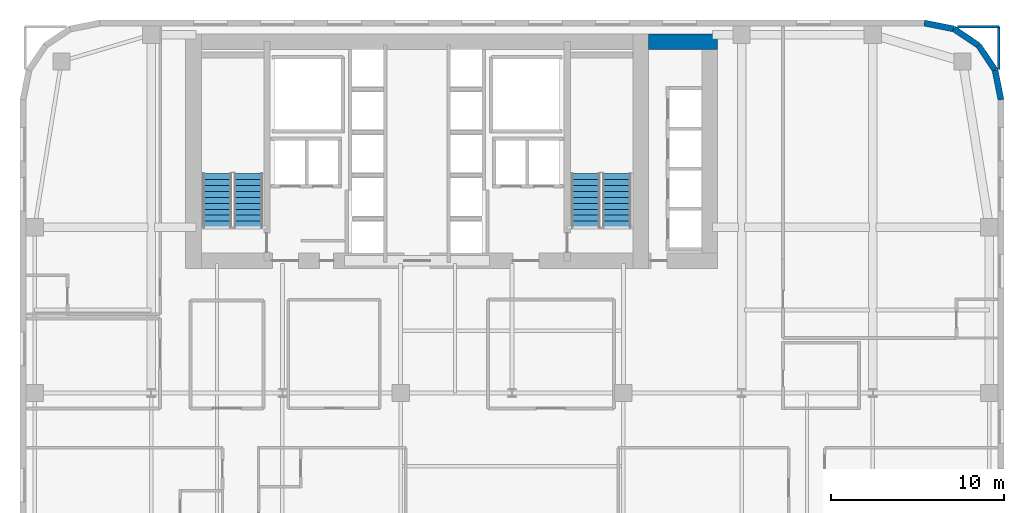
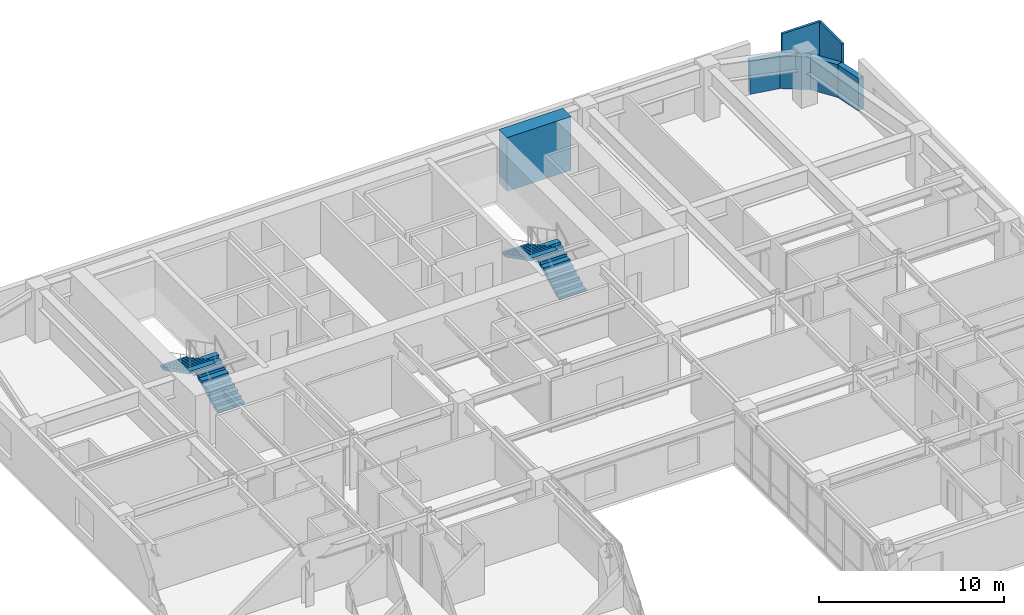
# One storey, part 16 of 17: 7 walls, 4 stair flights, 2 elements without a shape of their own.
"""IFC4 building model written with IfcOpenShell, lengths in metres."""

from ifc_helpers import new_model, si_unit, direction, frame, frame_2d, origin, place, context, subcontext, project, spatial, polyline, rectangle, outline, extrude, material, layer, layer_set, type_object, element, aggregate, save


model = new_model("IFC4")

# Units and contexts
model_context = context("Model", 3, precision=1e-05, world=origin(), true_north=direction((0.0, 1.0)))
body_context = subcontext(model_context, "Body", "Model", "MODEL_VIEW")
ifc_project = project(units=[si_unit("LENGTHUNIT", "METRE"), si_unit("AREAUNIT", "SQUARE_METRE"), si_unit("VOLUMEUNIT", "CUBIC_METRE"), si_unit("PLANEANGLEUNIT", "RADIAN"), si_unit("MASSUNIT", "GRAM", prefix="KILO")], contexts=[model_context])

# Site, building, storey
site_placement = place(None, origin())
site = spatial("IfcSite", under=ifc_project, at=site_placement, CompositionType="ELEMENT")
building_placement = place(site_placement, origin())
building = spatial("IfcBuilding", under=site, at=building_placement, Name="Tolvann Quenvar Hotel", CompositionType="ELEMENT")
storey_placement = place(building_placement, frame((0.0, 0.0, 35.550048828125)))
storey = spatial("IfcBuildingStorey", under=building, at=storey_placement, Name="L07", CompositionType="ELEMENT", Elevation=35.550048828125)

# Walls
ifc_material_1 = material(Name="Concrete S80 (80 MPa)", Category="concrete")
ifc_layer_1 = layer(ifc_material_1, 0.89990234375)
ifc_layer_set_1 = layer_set([ifc_layer_1], Name="Concrete S80 (80 MPa)")
wall_type_1 = type_object("IfcWallType", Name="WALL_CORE_900", PredefinedType="SHEAR", material=ifc_layer_set_1)
wall_1_placement = place(storey_placement, frame((36.39990234375, 44.75, 0.0), z_axis=(0.0, 0.0, 1.0), x_axis=(1.0, 0.0, 0.0)))
element("IfcWall", 1, at=wall_1_placement, inside=storey, type_object=wall_type_1, Name="Core East Annex Shear Wall ANN-N (L07)", PredefinedType="SHEAR", context=body_context, shape_type="SweptSolid", body=[
    extrude(rectangle(XDim=4.0, YDim=0.89990234375, at=frame_2d((2.0, 0.0))), origin(), (0.0, 0.0, 1.0), 3.550048828125),
])
ifc_material_2 = material(Name="Kiln-fired red and buff architectural clay brickwork and terracotta masonry", Category="masonry")
ifc_layer_2 = layer(ifc_material_2, 0.35009765625)
ifc_layer_set_2 = layer_set([ifc_layer_2], Name="Kiln-fired red and buff architectural clay brickwork and terracotta masonry")
wall_type_2 = type_object("IfcWallType", Name="WALL_EXT_BRICK_350", PredefinedType="SOLIDWALL", material=ifc_layer_set_2)
wall_2_placement = place(storey_placement, frame((56.824951171875, 41.3828125, 0.0), z_axis=(0.0, 0.0, 1.0), x_axis=(-0.195011420161, 0.980800971659, 0.0)))
element("IfcWall", 2, at=wall_2_placement, inside=storey, type_object=wall_type_2, Name="Exterior Chicago Brick Wall L07-E14", PredefinedType="SOLIDWALL", context=body_context, shape_type="SweptSolid", body=[
    extrude(rectangle(XDim=1.74267578125, YDim=0.35009765625, at=frame_2d((0.871337890625, 0.0))), origin(), (0.0, 0.0, 1.0), 2.159912109375),
])
for number, where, z_axis, x_axis, name in (
    (3, (56.485107421875, 43.092041015625, 0.0), (0.0, 0.0, 1.0), (-0.55554893791, 0.831483840845, 0.0), "Exterior Chicago Brick Wall L07-E15"),
    (4, (55.526611328125, 44.526611328125, 0.0), (0.0, 0.0, 1.0), (-0.831483840845, 0.55554893791, 0.0), "Exterior Chicago Brick Wall L07-E16"),
):
    element("IfcWall", number, at=place(storey_placement, frame(where, z_axis=z_axis, x_axis=x_axis)), inside=storey, type_object=wall_type_2, Name=name, PredefinedType="SOLIDWALL", context=body_context, shape_type="SweptSolid", body=[
        extrude(rectangle(XDim=1.725341796875, YDim=0.35009765625, at=frame_2d((0.86279296875, 0.0))), origin(), (0.0, 0.0, 1.0), 2.159912109375),
    ])
wall_3_placement = place(storey_placement, frame((54.092041015625, 45.485107421875, 0.0), z_axis=(0.0, 0.0, 1.0), x_axis=(-0.980800971659, 0.195011420161, 0.0)))
element("IfcWall", 5, at=wall_3_placement, inside=storey, type_object=wall_type_2, Name="Exterior Chicago Brick Wall L07-E17", PredefinedType="SOLIDWALL", context=body_context, shape_type="SweptSolid", body=[
    extrude(rectangle(XDim=1.74267578125, YDim=0.35009765625, at=frame_2d((0.871337890625, 0.0))), origin(), (0.0, 0.0, 1.0), 2.159912109375),
])
ifc_material_3 = material(Name="Acoustic twin-stud fire-rated gypsum plasterboard partition")
ifc_layer_3 = layer(ifc_material_3, 0.14990234375)
ifc_layer_set_3 = layer_set([ifc_layer_3], Name="Acoustic twin-stud fire-rated gypsum plasterboard partition")
wall_type_3 = type_object("IfcWallType", Name="WALL_PART_SUITE_150", PredefinedType="PARTITIONING", material=ifc_layer_set_3)
wall_4_placement = place(storey_placement, frame((56.699951171875, 43.135009765625, 0.0), z_axis=(0.0, 0.0, 1.0), x_axis=(0.0, 1.0, 0.0)))
element("IfcWall", 6, at=wall_4_placement, inside=storey, type_object=wall_type_3, Name="Interior Partition PT-SPC-L07-RM-NE01-E4", PredefinedType="PARTITIONING", context=body_context, shape_type="SweptSolid", body=[
    extrude(rectangle(XDim=2.485107421875, YDim=0.14990234375, at=frame_2d((1.24267578125, 0.0))), origin(), (0.0, 0.0, 1.0), 3.369873046875),
])
wall_5_placement = place(storey_placement, frame((54.303955078125, 45.6201171875, 0.0), z_axis=(0.0, 0.0, 1.0), x_axis=(1.0, 0.0, 0.0)))
element("IfcWall", 7, at=wall_5_placement, inside=storey, type_object=wall_type_3, Name="Interior Partition PT-SPC-L07-RM-NE01-E5", PredefinedType="PARTITIONING", context=body_context, shape_type="SweptSolid", body=[
    extrude(rectangle(XDim=2.39599609375, YDim=0.14990234375, at=frame_2d((1.197998046875, 0.0))), origin(), (0.0, 0.0, 1.0), 3.369873046875),
])

# Stair, stair flights
ifc_material_4 = material(Name="Concrete N40 (40 MPa)", Category="concrete")
stair_type = type_object("IfcStairType", Name="STAIR", PredefinedType="HALF_TURN_STAIR", material=ifc_material_4)
stair_1_placement = place(storey_placement, origin())
stair_1 = element("IfcStair", 8, at=stair_1_placement, inside=storey, type_object=stair_type, Name="L07 ST-C1", PredefinedType="HALF_TURN_STAIR")
stair_flight_type = type_object("IfcStairFlightType", Name="STAIR_FLIGHT", PredefinedType="STRAIGHT", material=ifc_material_4)
stair_flight_1_placement = place(storey_placement, frame((13.22509765625, 34.0, 0.0), z_axis=(0.0, 0.0, 1.0), x_axis=(0.0, 1.0, 0.0)))
stair_flight_1 = element("IfcStairFlight", 9, at=stair_flight_1_placement, type_object=stair_flight_type, Name="ST-C1 flight 1", NumberOfRisers=10, NumberOfTreads=9, PredefinedType="STRAIGHT", RiserHeight=0.1775, TreadLength=0.345, context=body_context, shape_type="SweptSolid", body=[
    extrude(outline(polyline([(0.0, 0.0), (0.0, 0.177490234375), (0.344970703125, 0.177490234375), (0.344970703125, 0.35498046875), (0.68994140625, 0.35498046875), (0.68994140625, 0.532470703125), (1.034912109375, 0.532470703125), (1.034912109375, 0.7099609375), (1.3798828125, 0.7099609375), (1.3798828125, 0.887451171875), (1.72509765625, 0.887451171875), (1.72509765625, 1.06494140625), (2.070068359375, 1.06494140625), (2.070068359375, 1.242431640625), (2.4150390625, 1.242431640625), (2.4150390625, 1.419921875), (2.760009765625, 1.419921875), (2.760009765625, 1.597412109375), (3.10498046875, 1.597412109375), (3.10498046875, 1.77490234375), (3.10498046875, 1.428955078125), (0.32763671875, 0.0), (0.0, 0.0)])), frame((0.0, 0.824951171875, 0.0), z_axis=(0.0, -1.0, 0.0), x_axis=(1.0, 0.0, 0.0)), (0.0, 0.0, 1.0), 1.64990234375),
])
stair_flight_2_placement = place(storey_placement, frame((11.425048828125, 37.10498046875, 1.77490234375), z_axis=(0.0, 0.0, 1.0), x_axis=(0.0, -1.0, 0.0)))
stair_flight_2 = element("IfcStairFlight", 10, at=stair_flight_2_placement, type_object=stair_flight_type, Name="ST-C1 flight 2", NumberOfRisers=10, NumberOfTreads=9, PredefinedType="STRAIGHT", RiserHeight=0.1775, TreadLength=0.345, context=body_context, shape_type="SweptSolid", body=[
    extrude(outline(polyline([(0.0, 0.0), (0.0, 0.177490234375), (0.344970703125, 0.177490234375), (0.344970703125, 0.35498046875), (0.68994140625, 0.35498046875), (0.68994140625, 0.532470703125), (1.034912109375, 0.532470703125), (1.034912109375, 0.7099609375), (1.3798828125, 0.7099609375), (1.3798828125, 0.887451171875), (1.72509765625, 0.887451171875), (1.72509765625, 1.06494140625), (2.070068359375, 1.06494140625), (2.070068359375, 1.242431640625), (2.4150390625, 1.242431640625), (2.4150390625, 1.419921875), (2.760009765625, 1.419921875), (2.760009765625, 1.597412109375), (3.10498046875, 1.597412109375), (3.10498046875, 1.77490234375), (3.10498046875, 1.428955078125), (0.32763671875, 0.0), (0.0, 0.0)])), frame((0.0, 0.824951171875, 0.0), z_axis=(0.0, -1.0, 0.0), x_axis=(1.0, 0.0, 0.0)), (0.0, 0.0, 1.0), 1.64990234375),
])
aggregate(stair_1, [stair_flight_1, stair_flight_2])

stair_2_placement = place(storey_placement, origin())
stair_2 = element("IfcStair", 11, at=stair_2_placement, inside=storey, type_object=stair_type, Name="L07 ST-C2", PredefinedType="HALF_TURN_STAIR")
stair_flight_3_placement = place(storey_placement, frame((34.574951171875, 34.0, 0.0), z_axis=(0.0, 0.0, 1.0), x_axis=(0.0, 1.0, 0.0)))
stair_flight_3 = element("IfcStairFlight", 12, at=stair_flight_3_placement, type_object=stair_flight_type, Name="ST-C2 flight 1", NumberOfRisers=10, NumberOfTreads=9, PredefinedType="STRAIGHT", RiserHeight=0.1775, TreadLength=0.345, context=body_context, shape_type="SweptSolid", body=[
    extrude(outline(polyline([(0.0, 0.0), (0.0, 0.177490234375), (0.344970703125, 0.177490234375), (0.344970703125, 0.35498046875), (0.68994140625, 0.35498046875), (0.68994140625, 0.532470703125), (1.034912109375, 0.532470703125), (1.034912109375, 0.7099609375), (1.3798828125, 0.7099609375), (1.3798828125, 0.887451171875), (1.72509765625, 0.887451171875), (1.72509765625, 1.06494140625), (2.070068359375, 1.06494140625), (2.070068359375, 1.242431640625), (2.4150390625, 1.242431640625), (2.4150390625, 1.419921875), (2.760009765625, 1.419921875), (2.760009765625, 1.597412109375), (3.10498046875, 1.597412109375), (3.10498046875, 1.77490234375), (3.10498046875, 1.428955078125), (0.32763671875, 0.0), (0.0, 0.0)])), frame((0.0, 0.824951171875, 0.0), z_axis=(0.0, -1.0, 0.0), x_axis=(1.0, 0.0, 0.0)), (0.0, 0.0, 1.0), 1.64990234375),
])
stair_flight_4_placement = place(storey_placement, frame((32.77490234375, 37.10498046875, 1.77490234375), z_axis=(0.0, 0.0, 1.0), x_axis=(0.0, -1.0, 0.0)))
stair_flight_4 = element("IfcStairFlight", 13, at=stair_flight_4_placement, type_object=stair_flight_type, Name="ST-C2 flight 2", NumberOfRisers=10, NumberOfTreads=9, PredefinedType="STRAIGHT", RiserHeight=0.1775, TreadLength=0.345, context=body_context, shape_type="SweptSolid", body=[
    extrude(outline(polyline([(0.0, 0.0), (0.0, 0.177490234375), (0.344970703125, 0.177490234375), (0.344970703125, 0.35498046875), (0.68994140625, 0.35498046875), (0.68994140625, 0.532470703125), (1.034912109375, 0.532470703125), (1.034912109375, 0.7099609375), (1.3798828125, 0.7099609375), (1.3798828125, 0.887451171875), (1.72509765625, 0.887451171875), (1.72509765625, 1.06494140625), (2.070068359375, 1.06494140625), (2.070068359375, 1.242431640625), (2.4150390625, 1.242431640625), (2.4150390625, 1.419921875), (2.760009765625, 1.419921875), (2.760009765625, 1.597412109375), (3.10498046875, 1.597412109375), (3.10498046875, 1.77490234375), (3.10498046875, 1.428955078125), (0.32763671875, 0.0), (0.0, 0.0)])), frame((0.0, 0.824951171875, 0.0), z_axis=(0.0, -1.0, 0.0), x_axis=(1.0, 0.0, 0.0)), (0.0, 0.0, 1.0), 1.64990234375),
])
aggregate(stair_2, [stair_flight_3, stair_flight_4])

save(model, "model.ifc")
